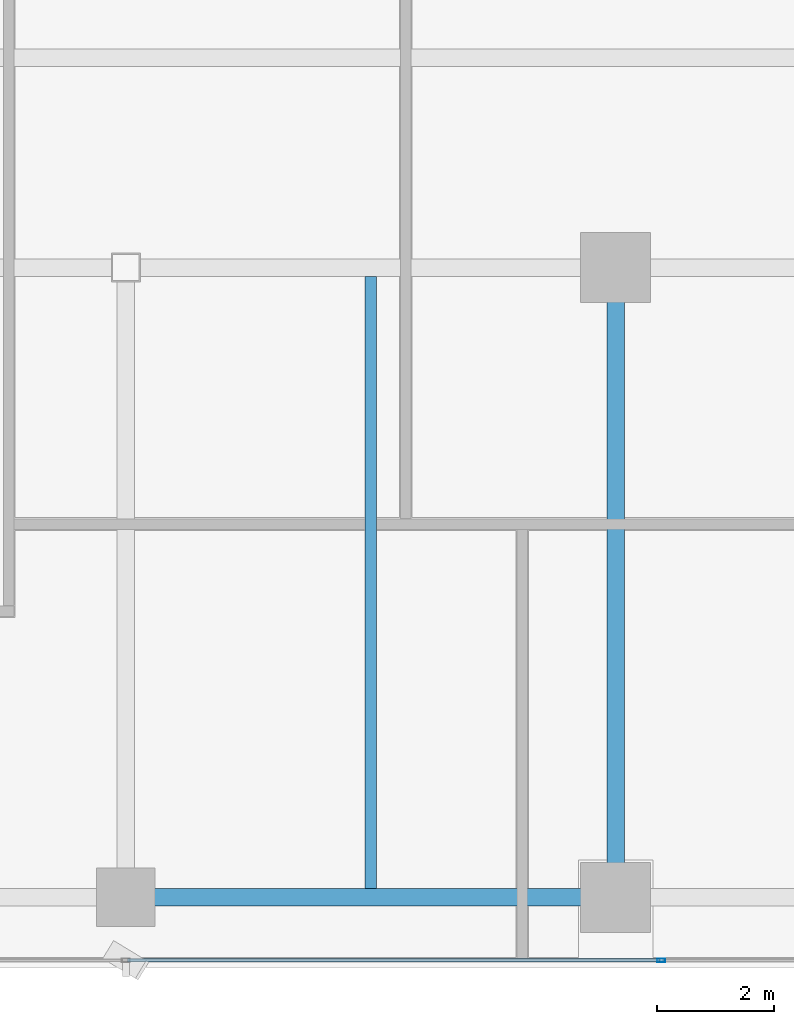
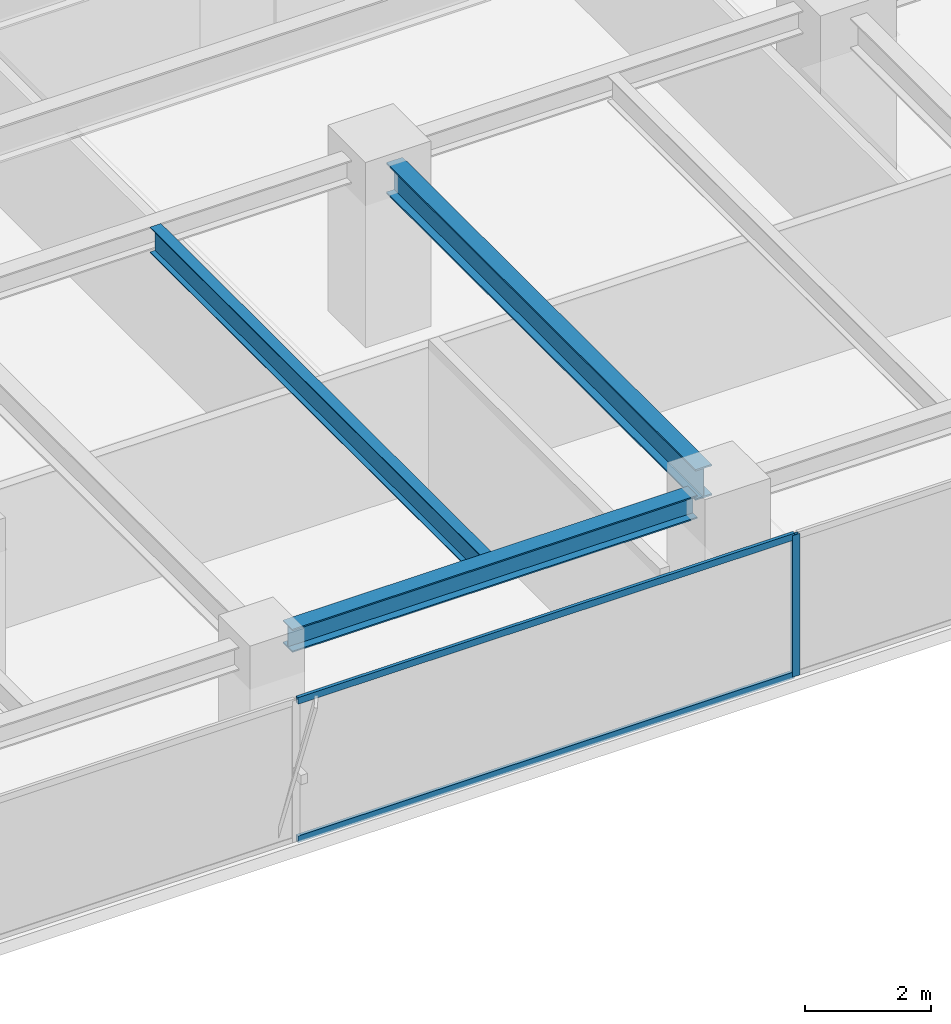
# One storey, part 7 of 25: 3 beams, 3 members, 1 element without a shape of its own.
"""IFC4 building model written with IfcOpenShell, lengths in metres."""

from ifc_helpers import new_model, si_unit, direction, frame, origin, origin_2d, place, context, subcontext, project, spatial, hollow_rectangle, i_section, extrude, source, transform, mapped, material, layer, layer_set, material_profile, profile_set, type_object, element, aggregate, save


model = new_model("IFC4")

# Units and contexts
model_context = context("Model", 3, precision=1e-05, world=origin(), true_north=direction((0.0, 1.0)))
body_context = subcontext(model_context, "Body", "Model", "MODEL_VIEW")
ifc_project = project(units=[si_unit("LENGTHUNIT", "METRE"), si_unit("AREAUNIT", "SQUARE_METRE"), si_unit("VOLUMEUNIT", "CUBIC_METRE"), si_unit("PLANEANGLEUNIT", "RADIAN"), si_unit("MASSUNIT", "GRAM", prefix="KILO")], contexts=[model_context])

# Site, building, storey
site_placement = place(None, origin())
site = spatial("IfcSite", under=ifc_project, at=site_placement, CompositionType="ELEMENT")
building_placement = place(site_placement, origin())
building = spatial("IfcBuilding", under=site, at=building_placement, Name="Sumidabori Civic Tower", CompositionType="ELEMENT")
storey_placement = place(building_placement, frame((0.0, 0.0, 268.39990234375)))
storey = spatial("IfcBuildingStorey", under=building, at=storey_placement, Name="L70", CompositionType="ELEMENT", Elevation=268.39990234375)

# Beams
ifc_material_1 = material(Name="Steel SN490", Category="steel")
ifc_material_profile_1 = material_profile(ifc_material_1, i_section(OverallWidth=0.300048828125, OverallDepth=0.60009765625, WebThickness=0.015380859375, FlangeThickness=0.030029296875, at=origin_2d()), Name="HE 600 B")
ifc_profile_set_1 = profile_set([ifc_material_profile_1], Name="Steel SN490")
beam_type_1 = type_object("IfcBeamType", Name="BM-GIRD-600", PredefinedType="BEAM", material=ifc_profile_set_1)
shared_shape_1 = source(origin(), body_context, "Body", "SweptSolid", [
    extrude(i_section(OverallWidth=0.300048828125, OverallDepth=0.60009765625, WebThickness=0.015380859375, FlangeThickness=0.030029296875, at=origin_2d()), origin(), (0.0, 0.0, 1.0), 9.840087890625),
])
beam_1_placement = place(storey_placement, frame((8.39990234375, -10.320068359375, 3.070068359375), z_axis=(0.0, 1.0, 0.0), x_axis=(-1.0, 0.0, 0.0)))
element("IfcBeam", 1, at=beam_1_placement, inside=storey, type_object=beam_type_1, Name="Primary Girder L70 GY-14", PredefinedType="BEAM", context=body_context, shape_type="MappedRepresentation", body=[
    mapped(shared_shape_1, transform((0.0, 0.0, 0.0), x_axis=(1.0, 0.0, 0.0), y_axis=(0.0, 1.0, 0.0), z_axis=(0.0, 0.0, 1.0), scale=1.0)),
])
ifc_material_profile_2 = material_profile(ifc_material_1, i_section(OverallWidth=0.300048828125, OverallDepth=0.449951171875, WebThickness=0.013916015625, FlangeThickness=0.02587890625, at=origin_2d()), Name="HE 450 B")
ifc_profile_set_2 = profile_set([ifc_material_profile_2], Name="Steel SN490")
beam_type_2 = type_object("IfcBeamType", Name="BM-GIRD-450", PredefinedType="BEAM", material=ifc_profile_set_2)
shared_shape_2 = source(origin(), body_context, "Body", "SweptSolid", [
    extrude(i_section(OverallWidth=0.300048828125, OverallDepth=0.449951171875, WebThickness=0.013916015625, FlangeThickness=0.02587890625, at=origin_2d()), origin(), (0.0, 0.0, 1.0), 7.43994140625),
])
beam_2_placement = place(storey_placement, frame((0.47998046875, -10.800048828125, 3.14501953125), z_axis=(1.0, 0.0, 0.0), x_axis=(0.0, 1.0, 0.0)))
element("IfcBeam", 2, at=beam_2_placement, inside=storey, type_object=beam_type_2, Name="Primary Girder L70 GX-03", PredefinedType="BEAM", context=body_context, shape_type="MappedRepresentation", body=[
    mapped(shared_shape_2, transform((0.0, 0.0, 0.0), x_axis=(1.0, 0.0, 0.0), y_axis=(0.0, 1.0, 0.0), z_axis=(0.0, 0.0, 1.0), scale=1.0)),
])
ifc_material_profile_3 = material_profile(ifc_material_1, i_section(OverallWidth=0.199951171875, OverallDepth=0.5, WebThickness=0.01025390625, FlangeThickness=0.01611328125, at=origin_2d()), Name="IPE 500")
ifc_profile_set_3 = profile_set([ifc_material_profile_3], Name="Steel SN490")
beam_type_3 = type_object("IfcBeamType", Name="BM-JST-500", PredefinedType="JOIST", material=ifc_profile_set_3)
shared_shape_3 = source(origin(), body_context, "Body", "SweptSolid", [
    extrude(i_section(OverallWidth=0.199951171875, OverallDepth=0.5, WebThickness=0.01025390625, FlangeThickness=0.01611328125, at=origin_2d()), origin(), (0.0, 0.0, 1.0), 10.5),
])
beam_3_placement = place(storey_placement, frame((4.199951171875, -10.64990234375, 3.1201171875), z_axis=(0.0, 1.0, 0.0), x_axis=(-1.0, 0.0, 0.0)))
element("IfcBeam", 3, at=beam_3_placement, inside=storey, type_object=beam_type_3, Name="Upper Lens N-S Floor Joist L70 JSTV-26", PredefinedType="JOIST", context=body_context, shape_type="MappedRepresentation", body=[
    mapped(shared_shape_3, transform((0.0, 0.0, 0.0), x_axis=(1.0, 0.0, 0.0), y_axis=(0.0, 1.0, 0.0), z_axis=(0.0, 0.0, 1.0), scale=1.0)),
])

# Curtain wall, members
ifc_material_2 = material(Name="Anodised Bronze Aluminium AW-6063-T6", Category="aluminium")
ifc_layer = layer(ifc_material_2, 0.179931640625, Name="Anodised Bronze Aluminium AW-6063-T6")
ifc_layer_set = layer_set([ifc_layer], Name="Anodised Bronze Aluminium AW-6063-T6")
curtain_wall_type = type_object("IfcCurtainWallType", Name="CW-SYS-5", PredefinedType="NOTDEFINED", material=ifc_layer_set)
curtain_wall_placement = place(storey_placement, origin())
curtain_wall = element("IfcCurtainWall", 4, at=curtain_wall_placement, inside=storey, type_object=curtain_wall_type, Name="Curtain Wall CW:L70:R01", PredefinedType="NOTDEFINED")
ifc_material_profile_4 = material_profile(ifc_material_2, hollow_rectangle(XDim=0.06005859375, YDim=0.1298828125, WallThickness=0.0048828125, at=origin_2d()), Name="ALU TRANSOM 130x60")
ifc_profile_set_4 = profile_set([ifc_material_profile_4], Name="Anodised Bronze Aluminium AW-6063-T6")
member_type_1 = type_object("IfcMemberType", Name="CW-TRN-130", PredefinedType="USERDEFINED", material=ifc_profile_set_4)
shared_shape_4 = source(origin(), body_context, "Body", "SweptSolid", [
    extrude(hollow_rectangle(XDim=0.06005859375, YDim=0.1298828125, WallThickness=0.0048828125, at=origin_2d()), origin(), (0.0, 0.0, 1.0), 9.125),
])
member_1_placement = place(storey_placement, frame((0.030029296875, -11.8798828125, 0.030029296875), z_axis=(1.0, 0.0, 0.0), x_axis=(0.0, 1.0, 0.0)))
member_1 = element("IfcMember", 5, at=member_1_placement, type_object=member_type_1, Name="CW-5 transom 3.1", ObjectType="TRANSOM", PredefinedType="USERDEFINED", context=body_context, shape_type="MappedRepresentation", body=[
    mapped(shared_shape_4, transform((0.0, 0.0, 0.0), x_axis=(1.0, 0.0, 0.0), y_axis=(0.0, 1.0, 0.0), z_axis=(0.0, 0.0, 1.0), scale=1.0)),
])
member_2_placement = place(storey_placement, frame((0.030029296875, -11.8798828125, 2.72021484375), z_axis=(1.0, 0.0, 0.0), x_axis=(0.0, 1.0, 0.0)))
member_2 = element("IfcMember", 6, at=member_2_placement, type_object=member_type_1, Name="CW-5 transom 3.2", ObjectType="TRANSOM", PredefinedType="USERDEFINED", context=body_context, shape_type="MappedRepresentation", body=[
    mapped(shared_shape_4, transform((0.0, 0.0, 0.0), x_axis=(1.0, 0.0, 0.0), y_axis=(0.0, 1.0, 0.0), z_axis=(0.0, 0.0, 1.0), scale=1.0)),
])
ifc_material_profile_5 = material_profile(ifc_material_2, hollow_rectangle(XDim=0.06005859375, YDim=0.139892578125, WallThickness=0.0048828125, at=origin_2d()), Name="ALU MULLION 140x60")
ifc_profile_set_5 = profile_set([ifc_material_profile_5], Name="Anodised Bronze Aluminium AW-6063-T6")
member_type_2 = type_object("IfcMemberType", Name="CW-MUL-140", PredefinedType="MULLION", material=ifc_profile_set_5)
shared_shape_5 = source(origin(), body_context, "Body", "SweptSolid", [
    extrude(hollow_rectangle(XDim=0.06005859375, YDim=0.139892578125, WallThickness=0.0048828125, at=origin_2d()), origin(), (0.0, 0.0, 1.0), 2.75),
])
member_3_placement = place(storey_placement, frame((9.18505859375, -11.8798828125, 0.0), z_axis=(0.0, 0.0, 1.0), x_axis=(0.0, 1.0, 0.0)))
member_3 = element("IfcMember", 7, at=member_3_placement, type_object=member_type_2, Name="CW-5 mullion 4", PredefinedType="MULLION", context=body_context, shape_type="MappedRepresentation", body=[
    mapped(shared_shape_5, transform((0.0, 0.0, 0.0), x_axis=(1.0, 0.0, 0.0), y_axis=(0.0, 1.0, 0.0), z_axis=(0.0, 0.0, 1.0), scale=1.0)),
])
aggregate(curtain_wall, [member_3, member_1, member_2])

save(model, "model.ifc")
